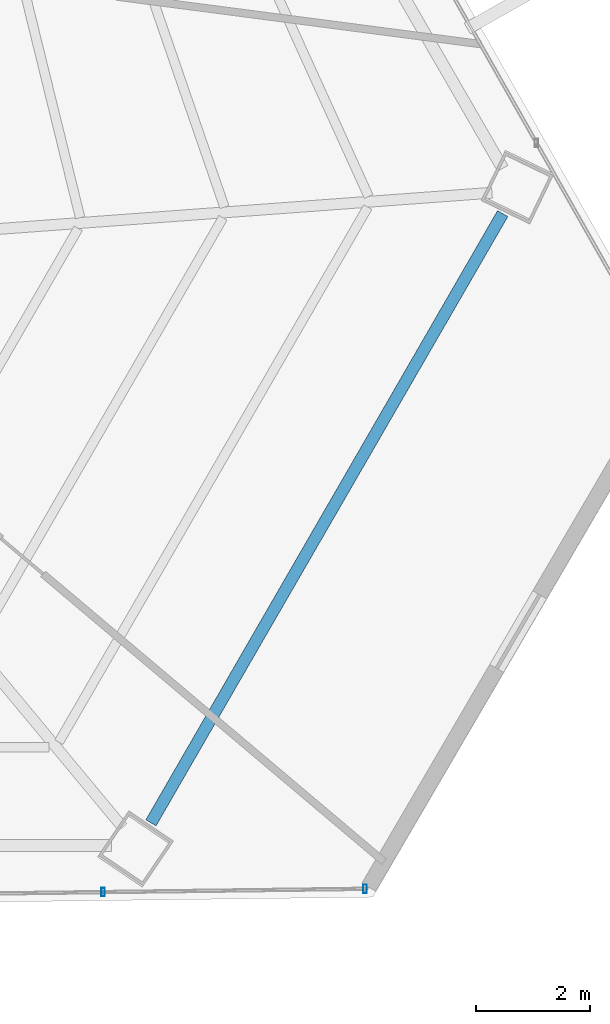
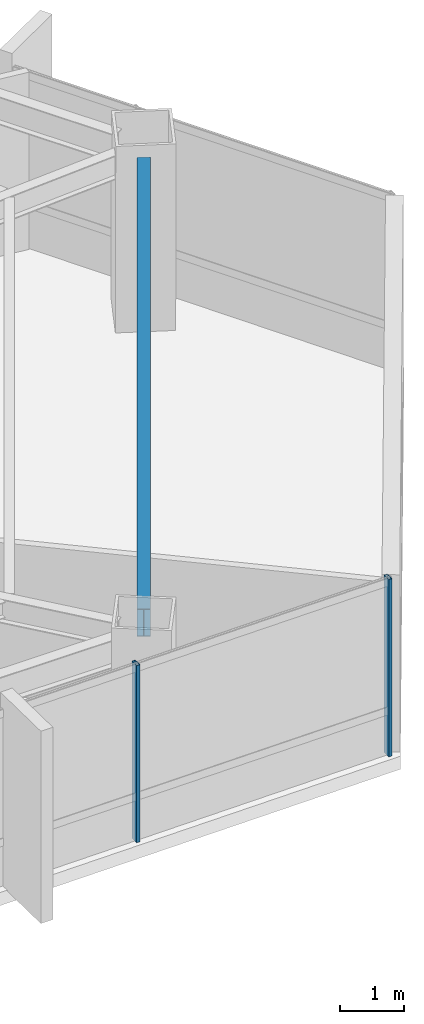
# One storey, part 19 of 41: 2 members, 1 beam, 1 element without a shape of its own.
"""IFC4 building model written with IfcOpenShell, lengths in metres."""

from ifc_helpers import new_model, si_unit, direction, frame, origin, origin_2d, place, context, subcontext, project, spatial, hollow_rectangle, i_section, extrude, source, transform, mapped, material, material_profile, profile_set, type_object, type_shapes, element, aggregate, save


model = new_model("IFC4")

# Units and contexts
model_context = context("Model", 3, precision=1e-05, world=origin(), true_north=direction((0.0, 1.0)))
body_context = subcontext(model_context, "Body", "Model", "MODEL_VIEW")
ifc_project = project(units=[si_unit("LENGTHUNIT", "METRE"), si_unit("AREAUNIT", "SQUARE_METRE"), si_unit("VOLUMEUNIT", "CUBIC_METRE"), si_unit("PLANEANGLEUNIT", "RADIAN"), si_unit("MASSUNIT", "GRAM", prefix="KILO")], contexts=[model_context])

# Site, building, storey
site_placement = place(None, origin())
site = spatial("IfcSite", under=ifc_project, at=site_placement, CompositionType="ELEMENT")
building_placement = place(site_placement, origin())
building = spatial("IfcBuilding", under=site, at=building_placement, Name="Caelisora Broadcast Tower", CompositionType="ELEMENT")
storey_placement = place(building_placement, frame((0.0, 0.0, 135.449951171875)))
storey = spatial("IfcBuildingStorey", under=building, at=storey_placement, Name="L35", CompositionType="ELEMENT", Elevation=135.449951171875)

# Beam
ifc_material_1 = material(Name="Steel Grade 350 (AS/NZS 3679.1)", Category="steel")
ifc_material_profile_1 = material_profile(ifc_material_1, i_section(OverallWidth=0.208984375, OverallDepth=0.532958984375, WebThickness=0.01025390625, FlangeThickness=0.015625, at=origin_2d()), Name="Steel Grade 350 (AS/NZS 3679.1)")
ifc_profile_set_1 = profile_set([ifc_material_profile_1], Name="Steel Grade 350 (AS/NZS 3679.1)")
beam_type = type_object("IfcBeamType", Name="PG05", PredefinedType="BEAM", material=ifc_profile_set_1)
shared_shape_1 = source(origin(), body_context, "Body", "SweptSolid", [
    extrude(i_section(OverallWidth=0.208984375, OverallDepth=0.532958984375, WebThickness=0.01025390625, FlangeThickness=0.015625, at=origin_2d()), origin(), (0.0, 0.0, 1.0), 12.3759765625),
])
type_shapes(beam_type, [shared_shape_1])
beam_placement = place(storey_placement, frame((54.364013671875, 7.406982421875, 3.133544921875), z_axis=(0.5000047816, 0.866022643109, 0.0), x_axis=(-0.866022643109, 0.5000047816, 0.0)))
element("IfcBeam", 1, at=beam_placement, inside=storey, type_object=beam_type, Name="L35 beam PG05", PredefinedType="BEAM", context=body_context, shape_type="MappedRepresentation", body=[
    mapped(shared_shape_1, transform((0.0, 0.0, 0.0), scale=1.0)),
])

# Curtain wall, members
ifc_material_2 = material(Name="Unitised Aluminium and Low-E Glass Curtain Wall", Category="glass")
curtain_wall_type = type_object("IfcCurtainWallType", Name="CW-Z3", PredefinedType="NOTDEFINED", material=ifc_material_2)
curtain_wall_placement = place(storey_placement, origin())
curtain_wall = element("IfcCurtainWall", 2, at=curtain_wall_placement, inside=storey, type_object=curtain_wall_type, Name="L35 curtain wall CW-Z3", PredefinedType="NOTDEFINED")
ifc_material_3 = material(Name="Aluminium 6063-T6 Anodised Terracotta Bronze", Category="aluminium")
ifc_material_profile_2 = material_profile(ifc_material_3, hollow_rectangle(XDim=0.06005859375, YDim=0.14990234375, WallThickness=0.00341796875, at=origin_2d()), Name="Aluminium 6063-T6 Anodised Terracotta Bronze")
ifc_profile_set_2 = profile_set([ifc_material_profile_2], Name="Aluminium 6063-T6 Anodised Terracotta Bronze")
member_type = type_object("IfcMemberType", Name="CWM-03", PredefinedType="MULLION", material=ifc_profile_set_2)
shared_shape_2 = source(origin(), body_context, "Body", "SweptSolid", [
    extrude(hollow_rectangle(XDim=0.06005859375, YDim=0.14990234375, WallThickness=0.00341796875, at=origin_2d()), origin(), (0.0, 0.0, 1.0), 3.400146484375),
])
type_shapes(member_type, [shared_shape_2])
member_1_placement = place(storey_placement, frame((58.1298828125, 6.247314453125, 0.0), z_axis=(0.0, 0.0, 1.0), x_axis=(1.0, 0.0, 0.0)))
member_1 = element("IfcMember", 3, at=member_1_placement, type_object=member_type, Name="L35-CW-B05 mullion #0", PredefinedType="MULLION", context=body_context, shape_type="MappedRepresentation", body=[
    mapped(shared_shape_2, transform((0.0, 0.0, 0.0), scale=1.0)),
])
member_2_placement = place(storey_placement, frame((53.52099609375, 6.189208984375, 0.0), z_axis=(0.0, 0.0, 1.0), x_axis=(1.0, 0.0, 0.0)))
member_2 = element("IfcMember", 4, at=member_2_placement, type_object=member_type, Name="L35-CW-B05 mullion #1", PredefinedType="MULLION", context=body_context, shape_type="MappedRepresentation", body=[
    mapped(shared_shape_2, transform((0.0, 0.0, 0.0), scale=1.0)),
])
aggregate(curtain_wall, [member_1, member_2])

save(model, "model.ifc")
